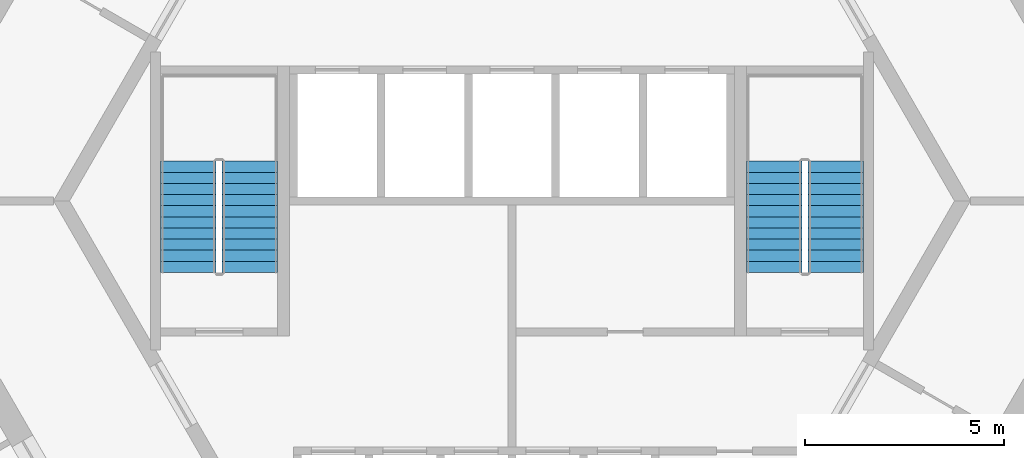
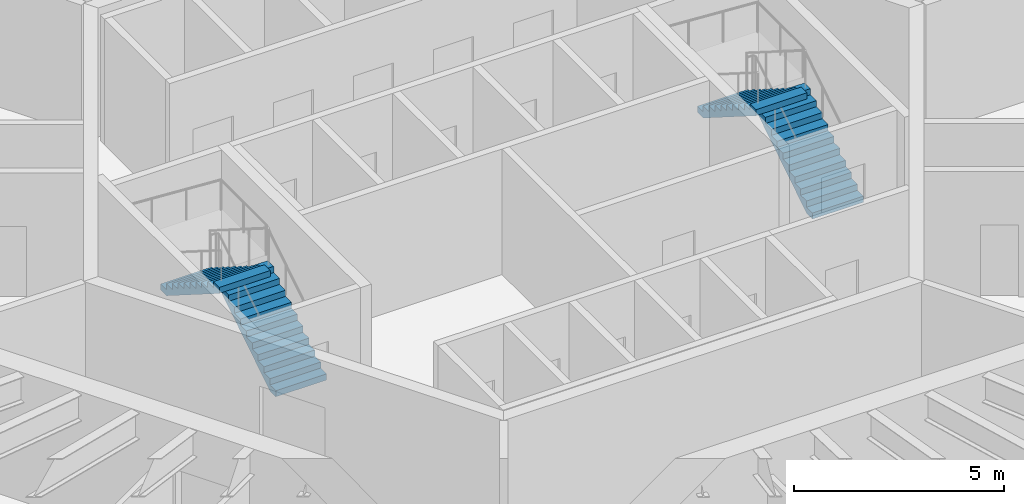
# One storey, part 11 of 12: 4 stair flights, 2 elements without a shape of their own.
"""IFC4 building model written with IfcOpenShell, lengths in metres."""

from ifc_helpers import new_model, si_unit, direction, frame, origin, place, context, subcontext, project, spatial, polyline, outline, extrude, material, type_object, element, aggregate, save


model = new_model("IFC4")

# Units and contexts
model_context = context("Model", 3, precision=1e-05, world=origin(), true_north=direction((0.0, 1.0)))
body_context = subcontext(model_context, "Body", "Model", "MODEL_VIEW")
ifc_project = project(units=[si_unit("LENGTHUNIT", "METRE"), si_unit("AREAUNIT", "SQUARE_METRE"), si_unit("VOLUMEUNIT", "CUBIC_METRE"), si_unit("PLANEANGLEUNIT", "RADIAN"), si_unit("MASSUNIT", "GRAM", prefix="KILO")], contexts=[model_context])

# Site, building, storey
site_placement = place(None, origin())
site = spatial("IfcSite", under=ifc_project, at=site_placement, CompositionType="ELEMENT")
building_placement = place(site_placement, origin())
building = spatial("IfcBuilding", under=site, at=building_placement, Name="Tarnside Tower", CompositionType="ELEMENT")
storey_placement = place(building_placement, frame((0.0, 0.0, 138.89990234375)))
storey = spatial("IfcBuildingStorey", under=building, at=storey_placement, Name="L32", CompositionType="ELEMENT", Elevation=138.89990234375)

# Stair, stair flights
ifc_material = material(Name="Concrete C40/50", Category="concrete")
stair_type = type_object("IfcStairType", Name="Exit stair 1400 clear", PredefinedType="HALF_TURN_STAIR", material=ifc_material)
stair_1_placement = place(storey_placement, origin())
stair_1 = element("IfcStair", 1, at=stair_1_placement, inside=storey, type_object=stair_type, Name="L32 Exit stair 1", PredefinedType="HALF_TURN_STAIR")
stair_flight_type = type_object("IfcStairFlightType", Name="Exit stair flight 1400", PredefinedType="STRAIGHT", material=ifc_material)
stair_flight_1_placement = place(storey_placement, frame((8.14990234375, -1.800048828125, 0.0), z_axis=(0.0, 0.0, 1.0), x_axis=(0.0, 1.0, 0.0)))
stair_flight_1 = element("IfcStairFlight", 2, at=stair_flight_1_placement, type_object=stair_flight_type, Name="ST1 flight 1", NumberOfRisers=11, NumberOfTreads=10, PredefinedType="STRAIGHT", RiserHeight=0.177272727, TreadLength=0.28, context=body_context, shape_type="SweptSolid", body=[
    extrude(outline(polyline([(0.0, 0.0), (0.0, 0.17724609375), (0.280029296875, 0.17724609375), (0.280029296875, 0.3544921875), (0.56005859375, 0.3544921875), (0.56005859375, 0.53173828125), (0.840087890625, 0.53173828125), (0.840087890625, 0.708984375), (1.1201171875, 0.708984375), (1.1201171875, 0.886474609375), (1.39990234375, 0.886474609375), (1.39990234375, 1.063720703125), (1.679931640625, 1.063720703125), (1.679931640625, 1.240966796875), (1.9599609375, 1.240966796875), (1.9599609375, 1.418212890625), (2.239990234375, 1.418212890625), (2.239990234375, 1.595458984375), (2.52001953125, 1.595458984375), (2.52001953125, 1.772705078125), (2.800048828125, 1.772705078125), (2.800048828125, 1.949951171875), (2.800048828125, 1.59521484375), (0.2802734375, 0.0), (0.0, 0.0)])), frame((0.0, 0.699951171875, 0.0), z_axis=(0.0, -1.0, 0.0), x_axis=(1.0, 0.0, 0.0)), (0.0, 0.0, 1.0), 1.39990234375),
])
stair_flight_2_placement = place(storey_placement, frame((6.60009765625, 1.0, 1.9501953125), z_axis=(0.0, 0.0, 1.0), x_axis=(0.0, -1.0, 0.0)))
stair_flight_2 = element("IfcStairFlight", 3, at=stair_flight_2_placement, type_object=stair_flight_type, Name="ST1 flight 2", NumberOfRisers=11, NumberOfTreads=10, PredefinedType="STRAIGHT", RiserHeight=0.177272727, TreadLength=0.28, context=body_context, shape_type="SweptSolid", body=[
    extrude(outline(polyline([(0.0, 0.0), (0.0, 0.17724609375), (0.280029296875, 0.17724609375), (0.280029296875, 0.3544921875), (0.56005859375, 0.3544921875), (0.56005859375, 0.53173828125), (0.840087890625, 0.53173828125), (0.840087890625, 0.708984375), (1.1201171875, 0.708984375), (1.1201171875, 0.886474609375), (1.39990234375, 0.886474609375), (1.39990234375, 1.063720703125), (1.679931640625, 1.063720703125), (1.679931640625, 1.240966796875), (1.9599609375, 1.240966796875), (1.9599609375, 1.418212890625), (2.239990234375, 1.418212890625), (2.239990234375, 1.595458984375), (2.52001953125, 1.595458984375), (2.52001953125, 1.772705078125), (2.800048828125, 1.772705078125), (2.800048828125, 1.949951171875), (2.800048828125, 1.59521484375), (0.2802734375, 0.0), (0.0, 0.0)])), frame((0.0, 0.699951171875, 0.0), z_axis=(0.0, -1.0, 0.0), x_axis=(1.0, 0.0, 0.0)), (0.0, 0.0, 1.0), 1.39990234375),
])
aggregate(stair_1, [stair_flight_1, stair_flight_2])

stair_2_placement = place(storey_placement, origin())
stair_2 = element("IfcStair", 4, at=stair_2_placement, inside=storey, type_object=stair_type, Name="L32 Exit stair 2", PredefinedType="HALF_TURN_STAIR")
stair_flight_3_placement = place(storey_placement, frame((-6.60009765625, -1.800048828125, 0.0), z_axis=(0.0, 0.0, 1.0), x_axis=(0.0, 1.0, 0.0)))
stair_flight_3 = element("IfcStairFlight", 5, at=stair_flight_3_placement, type_object=stair_flight_type, Name="ST2 flight 1", NumberOfRisers=11, NumberOfTreads=10, PredefinedType="STRAIGHT", RiserHeight=0.177272727, TreadLength=0.28, context=body_context, shape_type="SweptSolid", body=[
    extrude(outline(polyline([(0.0, 0.0), (0.0, 0.17724609375), (0.280029296875, 0.17724609375), (0.280029296875, 0.3544921875), (0.56005859375, 0.3544921875), (0.56005859375, 0.53173828125), (0.840087890625, 0.53173828125), (0.840087890625, 0.708984375), (1.1201171875, 0.708984375), (1.1201171875, 0.886474609375), (1.39990234375, 0.886474609375), (1.39990234375, 1.063720703125), (1.679931640625, 1.063720703125), (1.679931640625, 1.240966796875), (1.9599609375, 1.240966796875), (1.9599609375, 1.418212890625), (2.239990234375, 1.418212890625), (2.239990234375, 1.595458984375), (2.52001953125, 1.595458984375), (2.52001953125, 1.772705078125), (2.800048828125, 1.772705078125), (2.800048828125, 1.949951171875), (2.800048828125, 1.59521484375), (0.2802734375, 0.0), (0.0, 0.0)])), frame((0.0, 0.699951171875, 0.0), z_axis=(0.0, -1.0, 0.0), x_axis=(1.0, 0.0, 0.0)), (0.0, 0.0, 1.0), 1.39990234375),
])
stair_flight_4_placement = place(storey_placement, frame((-8.14990234375, 1.0, 1.9501953125), z_axis=(0.0, 0.0, 1.0), x_axis=(0.0, -1.0, 0.0)))
stair_flight_4 = element("IfcStairFlight", 6, at=stair_flight_4_placement, type_object=stair_flight_type, Name="ST2 flight 2", NumberOfRisers=11, NumberOfTreads=10, PredefinedType="STRAIGHT", RiserHeight=0.177272727, TreadLength=0.28, context=body_context, shape_type="SweptSolid", body=[
    extrude(outline(polyline([(0.0, 0.0), (0.0, 0.17724609375), (0.280029296875, 0.17724609375), (0.280029296875, 0.3544921875), (0.56005859375, 0.3544921875), (0.56005859375, 0.53173828125), (0.840087890625, 0.53173828125), (0.840087890625, 0.708984375), (1.1201171875, 0.708984375), (1.1201171875, 0.886474609375), (1.39990234375, 0.886474609375), (1.39990234375, 1.063720703125), (1.679931640625, 1.063720703125), (1.679931640625, 1.240966796875), (1.9599609375, 1.240966796875), (1.9599609375, 1.418212890625), (2.239990234375, 1.418212890625), (2.239990234375, 1.595458984375), (2.52001953125, 1.595458984375), (2.52001953125, 1.772705078125), (2.800048828125, 1.772705078125), (2.800048828125, 1.949951171875), (2.800048828125, 1.59521484375), (0.2802734375, 0.0), (0.0, 0.0)])), frame((0.0, 0.699951171875, 0.0), z_axis=(0.0, -1.0, 0.0), x_axis=(1.0, 0.0, 0.0)), (0.0, 0.0, 1.0), 1.39990234375),
])
aggregate(stair_2, [stair_flight_3, stair_flight_4])

save(model, "model.ifc")
